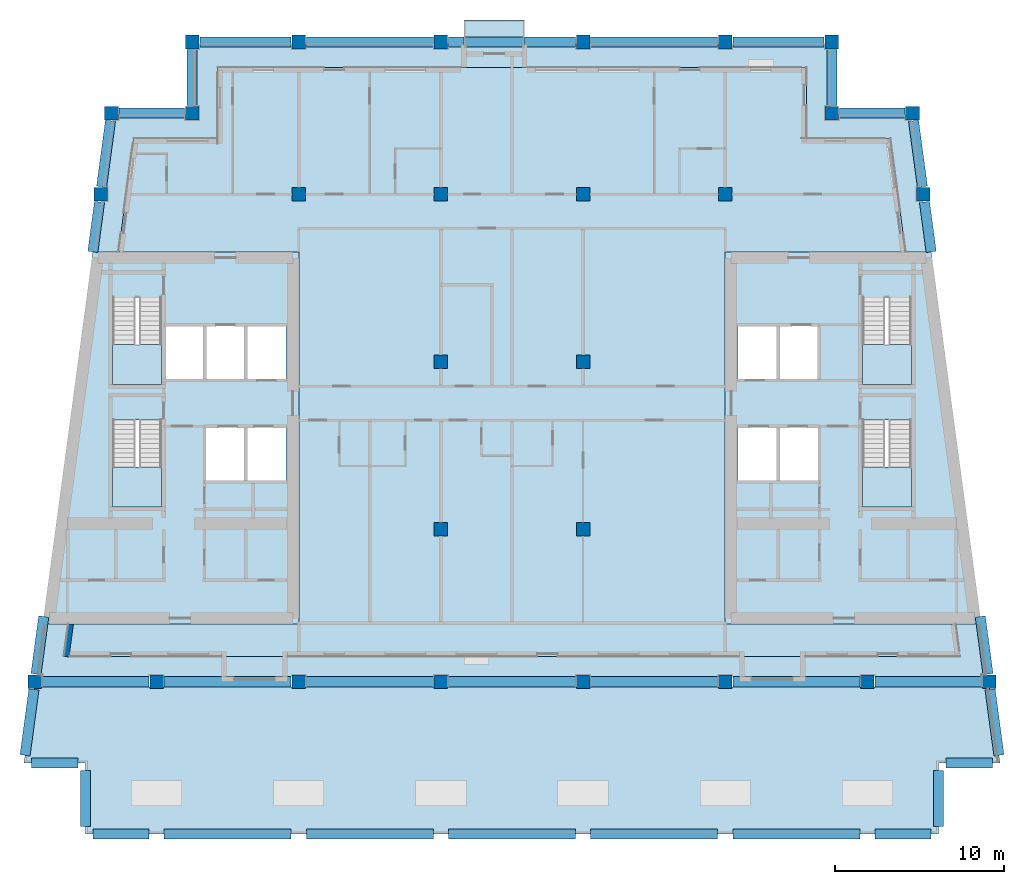
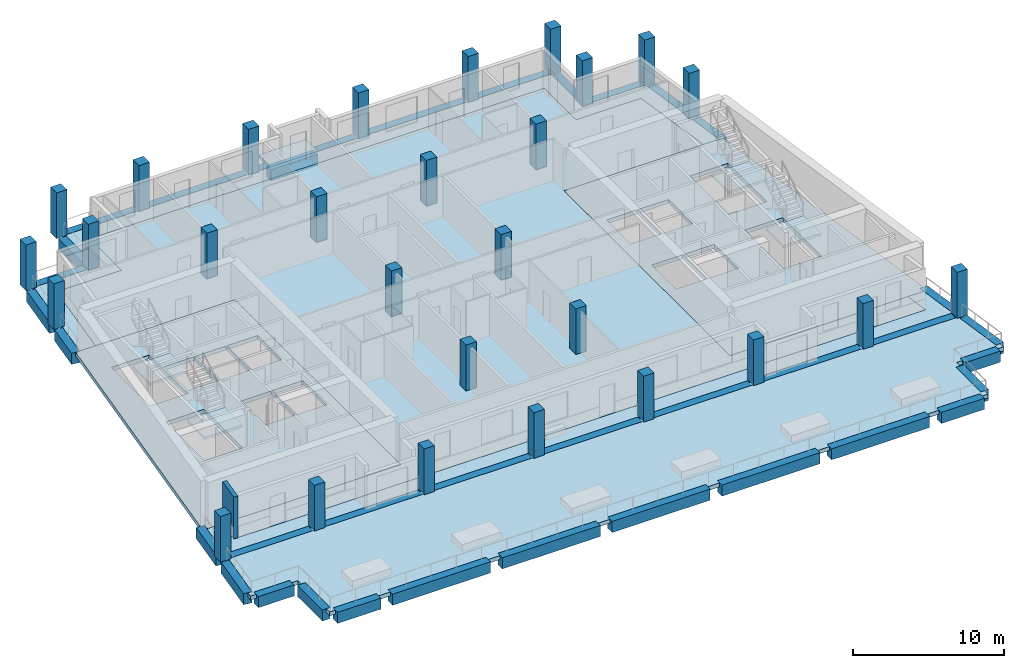
# One storey, part 1 of 12: 37 beams, 28 columns, 11 slabs, 1 wall, 4 elements without a shape of their own.
"""IFC4 building model written with IfcOpenShell, lengths in metres."""

from ifc_helpers import new_model, si_unit, direction, frame, frame_2d, origin, origin_2d, place, context, subcontext, project, spatial, polyline, rectangle, outline, extrude, material, layer, layer_set, material_profile, profile_set, type_object, element, aggregate, save


model = new_model("IFC4")

# Units and contexts
model_context = context("Model", 3, precision=1e-05, world=origin(), true_north=direction((0.0, 1.0)))
body_context = subcontext(model_context, "Body", "Model", "MODEL_VIEW")
ifc_project = project(units=[si_unit("LENGTHUNIT", "METRE"), si_unit("AREAUNIT", "SQUARE_METRE"), si_unit("VOLUMEUNIT", "CUBIC_METRE"), si_unit("PLANEANGLEUNIT", "RADIAN"), si_unit("MASSUNIT", "GRAM", prefix="KILO")], contexts=[model_context])

# Site, building, storey
site_placement = place(None, origin())
site = spatial("IfcSite", under=ifc_project, at=site_placement, CompositionType="ELEMENT")
building_placement = place(site_placement, origin())
building = spatial("IfcBuilding", under=site, at=building_placement, Name="Candeia Pilgrim Tower and Theatre", CompositionType="ELEMENT")
storey_placement = place(building_placement, frame((0.0, 0.0, 259.0)))
storey = spatial("IfcBuildingStorey", under=building, at=storey_placement, Name="L62", CompositionType="ELEMENT", Elevation=259.0)

# Columns
ifc_material_1 = material(Name="Concrete C40/50", Category="concrete")
ifc_material_profile_1 = material_profile(ifc_material_1, rectangle(XDim=0.800048828125, YDim=0.800048828125, at=origin_2d()))
ifc_profile_set_1 = profile_set([ifc_material_profile_1], Name="Concrete C40/50")
column_type = type_object("IfcColumnType", Name="RC 800x800 C40/50", PredefinedType="COLUMN", material=ifc_profile_set_1)
for number, where, z_axis, x_axis, name in (
    (1, (94.5, 140.60009765625, 0.0), (0.0, 0.0, 1.0), (1.0, 0.0, 0.0), "Column NNW"),
    (2, (132.300048828125, 140.60009765625, 0.0), (0.0, 0.0, 1.0), (1.0, 0.0, 0.0), "Column NNE"),
    (3, (89.734619140625, 140.60009765625, 0.0), (0.0, 0.0, 1.0), (1.0, 0.0, 0.0), "Column LNW"),
    (4, (137.0654296875, 140.60009765625, 0.0), (0.0, 0.0, 1.0), (1.0, 0.0, 0.0), "Column LNE"),
    (5, (92.39990234375, 107.0, 0.0), (0.0, 0.0, 1.0), (1.0, 0.0, 0.0), "Column B1"),
    (6, (100.800048828125, 107.0, 0.0), (0.0, 0.0, 1.0), (1.0, 0.0, 0.0), "Column B2"),
    (7, (109.199951171875, 107.0, 0.0), (0.0, 0.0, 1.0), (1.0, 0.0, 0.0), "Column B3"),
    (8, (117.60009765625, 107.0, 0.0), (0.0, 0.0, 1.0), (1.0, 0.0, 0.0), "Column B4"),
    (9, (126.0, 107.0, 0.0), (0.0, 0.0, 1.0), (1.0, 0.0, 0.0), "Column B5"),
    (10, (134.39990234375, 107.0, 0.0), (0.0, 0.0, 1.0), (1.0, 0.0, 0.0), "Column B6"),
    (11, (85.21142578125, 107.0, 0.0), (0.0, 0.0, 1.0), (1.0, 0.0, 0.0), "Column BW"),
    (12, (141.58837890625, 107.0, 0.0), (0.0, 0.0, 1.0), (1.0, 0.0, 0.0), "Column BE"),
    (13, (109.199951171875, 116.0, 0.0), (0.0, 0.0, 1.0), (1.0, 0.0, 0.0), "Column C3"),
    (14, (117.60009765625, 116.0, 0.0), (0.0, 0.0, 1.0), (1.0, 0.0, 0.0), "Column C4"),
    (15, (109.199951171875, 125.89990234375, 0.0), (0.0, 0.0, 1.0), (1.0, 0.0, 0.0), "Column D3"),
    (16, (117.60009765625, 125.89990234375, 0.0), (0.0, 0.0, 1.0), (1.0, 0.0, 0.0), "Column D4"),
    (17, (100.800048828125, 135.800048828125, 0.0), (0.0, 0.0, 1.0), (1.0, 0.0, 0.0), "Column E2"),
    (18, (109.199951171875, 135.800048828125, 0.0), (0.0, 0.0, 1.0), (1.0, 0.0, 0.0), "Column E3"),
    (19, (117.60009765625, 135.800048828125, 0.0), (0.0, 0.0, 1.0), (1.0, 0.0, 0.0), "Column E4"),
    (20, (126.0, 135.800048828125, 0.0), (0.0, 0.0, 1.0), (1.0, 0.0, 0.0), "Column E5"),
    (21, (89.08837890625, 135.800048828125, 0.0), (0.0, 0.0, 1.0), (1.0, 0.0, 0.0), "Column EW"),
    (22, (137.71142578125, 135.800048828125, 0.0), (0.0, 0.0, 1.0), (1.0, 0.0, 0.0), "Column EE"),
    (23, (100.800048828125, 144.800048828125, 0.0), (0.0, 0.0, 1.0), (1.0, 0.0, 0.0), "Column F2"),
    (24, (109.199951171875, 144.800048828125, 0.0), (0.0, 0.0, 1.0), (1.0, 0.0, 0.0), "Column F3"),
    (25, (117.60009765625, 144.800048828125, 0.0), (0.0, 0.0, 1.0), (1.0, 0.0, 0.0), "Column F4"),
    (26, (126.0, 144.800048828125, 0.0), (0.0, 0.0, 1.0), (1.0, 0.0, 0.0), "Column F5"),
    (27, (94.5, 144.800048828125, 0.0), (0.0, 0.0, 1.0), (1.0, 0.0, 0.0), "Column FW"),
    (28, (132.300048828125, 144.800048828125, 0.0), (0.0, 0.0, 1.0), (1.0, 0.0, 0.0), "Column FE"),
):
    element("IfcColumn", number, at=place(storey_placement, frame(where, z_axis=z_axis, x_axis=x_axis)), inside=storey, type_object=column_type, Name=name, PredefinedType="COLUMN", context=body_context, shape_type="SweptSolid", body=[
        extrude(rectangle(XDim=0.800048828125, YDim=0.800048828125, at=origin_2d()), origin(), (0.0, 0.0, 1.0), 3.699951171875),
    ])

# Beams
ifc_material_profile_2 = material_profile(ifc_material_1, rectangle(XDim=0.60009765625, YDim=0.89990234375, at=origin_2d()))
ifc_profile_set_2 = profile_set([ifc_material_profile_2], Name="Concrete C40/50")
beam_type = type_object("IfcBeamType", Name="RC 600x900 C40/50", PredefinedType="BEAM", material=ifc_profile_set_2)
beam_1_placement = place(storey_placement, frame((90.1845703125, 140.60009765625, -0.449951171875), z_axis=(1.0, 0.0, 0.0), x_axis=(0.0, 1.0, 0.0)))
element("IfcBeam", 29, at=beam_1_placement, inside=storey, type_object=beam_type, Name="Spandrel beam L62-01", PredefinedType="BEAM", context=body_context, shape_type="SweptSolid", body=[
    extrude(rectangle(XDim=0.60009765625, YDim=0.89990234375, at=origin_2d()), origin(), (0.0, 0.0, 1.0), 3.865478515625),
])
beam_2_placement = place(storey_placement, frame((94.5, 141.050048828125, -0.449951171875), z_axis=(0.0, 1.0, 0.0), x_axis=(-1.0, 0.0, 0.0)))
element("IfcBeam", 30, at=beam_2_placement, inside=storey, type_object=beam_type, Name="Spandrel beam L62-02", PredefinedType="BEAM", context=body_context, shape_type="SweptSolid", body=[
    extrude(rectangle(XDim=0.60009765625, YDim=0.89990234375, at=origin_2d()), origin(), (0.0, 0.0, 1.0), 3.300048828125),
])
beam_3_placement = place(storey_placement, frame((94.949951171875, 144.800048828125, -0.449951171875), z_axis=(1.0, 0.0, 0.0), x_axis=(0.0, 1.0, 0.0)))
element("IfcBeam", 31, at=beam_3_placement, inside=storey, type_object=beam_type, Name="Spandrel beam L62-03", PredefinedType="BEAM", context=body_context, shape_type="SweptSolid", body=[
    extrude(rectangle(XDim=0.60009765625, YDim=0.89990234375, at=origin_2d()), origin(), (0.0, 0.0, 1.0), 5.400146484375),
])
beam_4_placement = place(storey_placement, frame((101.25, 144.800048828125, -0.449951171875), z_axis=(1.0, 0.0, 0.0), x_axis=(0.0, 1.0, 0.0)))
element("IfcBeam", 32, at=beam_4_placement, inside=storey, type_object=beam_type, Name="Spandrel beam L62-04", PredefinedType="BEAM", context=body_context, shape_type="SweptSolid", body=[
    extrude(rectangle(XDim=0.60009765625, YDim=0.89990234375, at=origin_2d()), origin(), (0.0, 0.0, 1.0), 7.5),
])
beam_5_placement = place(storey_placement, frame((109.64990234375, 144.800048828125, -0.449951171875), z_axis=(1.0, 0.0, 0.0), x_axis=(0.0, 1.0, 0.0)))
element("IfcBeam", 33, at=beam_5_placement, inside=storey, type_object=beam_type, Name="Spandrel beam L62-05", PredefinedType="BEAM", context=body_context, shape_type="SweptSolid", body=[
    extrude(rectangle(XDim=0.60009765625, YDim=0.89990234375, at=origin_2d()), origin(), (0.0, 0.0, 1.0), 0.900146484375),
])
beam_6_placement = place(storey_placement, frame((110.550048828125, 144.800048828125, -0.699951171875), z_axis=(1.0, 0.0, 0.0), x_axis=(0.0, 1.0, 0.0)))
element("IfcBeam", 34, at=beam_6_placement, inside=storey, type_object=beam_type, Name="Spandrel beam L62-06", PredefinedType="BEAM", context=body_context, shape_type="SweptSolid", body=[
    extrude(rectangle(XDim=0.60009765625, YDim=0.89990234375, at=origin_2d()), origin(), (0.0, 0.0, 1.0), 3.599853515625),
])
beam_7_placement = place(storey_placement, frame((114.14990234375, 144.800048828125, -0.449951171875), z_axis=(1.0, 0.0, 0.0), x_axis=(0.0, 1.0, 0.0)))
element("IfcBeam", 35, at=beam_7_placement, inside=storey, type_object=beam_type, Name="Spandrel beam L62-07", PredefinedType="BEAM", context=body_context, shape_type="SweptSolid", body=[
    extrude(rectangle(XDim=0.60009765625, YDim=0.89990234375, at=origin_2d()), origin(), (0.0, 0.0, 1.0), 3.0),
])
beam_8_placement = place(storey_placement, frame((118.050048828125, 144.800048828125, -0.449951171875), z_axis=(1.0, 0.0, 0.0), x_axis=(0.0, 1.0, 0.0)))
element("IfcBeam", 36, at=beam_8_placement, inside=storey, type_object=beam_type, Name="Spandrel beam L62-08", PredefinedType="BEAM", context=body_context, shape_type="SweptSolid", body=[
    extrude(rectangle(XDim=0.60009765625, YDim=0.89990234375, at=origin_2d()), origin(), (0.0, 0.0, 1.0), 7.5),
])
beam_9_placement = place(storey_placement, frame((126.449951171875, 144.800048828125, -0.449951171875), z_axis=(1.0, 0.0, 0.0), x_axis=(0.0, 1.0, 0.0)))
element("IfcBeam", 37, at=beam_9_placement, inside=storey, type_object=beam_type, Name="Spandrel beam L62-09", PredefinedType="BEAM", context=body_context, shape_type="SweptSolid", body=[
    extrude(rectangle(XDim=0.60009765625, YDim=0.89990234375, at=origin_2d()), origin(), (0.0, 0.0, 1.0), 5.400146484375),
])
beam_10_placement = place(storey_placement, frame((132.300048828125, 144.35009765625, -0.449951171875), z_axis=(0.0, -1.0, 0.0), x_axis=(1.0, 0.0, 0.0)))
element("IfcBeam", 38, at=beam_10_placement, inside=storey, type_object=beam_type, Name="Spandrel beam L62-10", PredefinedType="BEAM", context=body_context, shape_type="SweptSolid", body=[
    extrude(rectangle(XDim=0.60009765625, YDim=0.89990234375, at=origin_2d()), origin(), (0.0, 0.0, 1.0), 3.300048828125),
])
beam_11_placement = place(storey_placement, frame((132.75, 140.60009765625, -0.449951171875), z_axis=(1.0, 0.0, 0.0), x_axis=(0.0, 1.0, 0.0)))
element("IfcBeam", 39, at=beam_11_placement, inside=storey, type_object=beam_type, Name="Spandrel beam L62-11", PredefinedType="BEAM", context=body_context, shape_type="SweptSolid", body=[
    extrude(rectangle(XDim=0.60009765625, YDim=0.89990234375, at=origin_2d()), origin(), (0.0, 0.0, 1.0), 3.865478515625),
])
beam_12_placement = place(storey_placement, frame((137.1259765625, 140.14990234375, -0.449951171875), z_axis=(0.133390918184, -0.991063500965, 0.0), x_axis=(0.991063500965, 0.133390918184, 0.0)))
element("IfcBeam", 40, at=beam_12_placement, inside=storey, type_object=beam_type, Name="Spandrel beam L62-12", PredefinedType="BEAM", context=body_context, shape_type="SweptSolid", body=[
    extrude(rectangle(XDim=0.60009765625, YDim=0.89990234375, at=origin_2d()), origin(), (0.0, 0.0, 1.0), 3.93505859375),
])
beam_13_placement = place(storey_placement, frame((137.772216796875, 135.35009765625, -0.449951171875), z_axis=(0.133356242983, -0.991068167412, 0.0), x_axis=(0.991068167412, 0.133356242983, 0.0)))
element("IfcBeam", 41, at=beam_13_placement, inside=storey, type_object=beam_type, Name="Spandrel beam L62-13", PredefinedType="BEAM", context=body_context, shape_type="SweptSolid", body=[
    extrude(rectangle(XDim=0.60009765625, YDim=0.89990234375, at=origin_2d()), origin(), (0.0, 0.0, 1.0), 2.976806640625),
])
beam_14_placement = place(storey_placement, frame((141.06982421875, 110.853271484375, -0.449951171875), z_axis=(0.133374411439, -0.99106572253, 0.0), x_axis=(0.99106572253, 0.133374411439, 0.0)))
element("IfcBeam", 42, at=beam_14_placement, inside=storey, type_object=beam_type, Name="Spandrel beam L62-14", PredefinedType="BEAM", context=body_context, shape_type="SweptSolid", body=[
    extrude(rectangle(XDim=0.60009765625, YDim=0.89990234375, at=origin_2d()), origin(), (0.0, 0.0, 1.0), 3.43408203125),
])
beam_15_placement = place(storey_placement, frame((141.138427734375, 107.0, -0.449951171875), z_axis=(-1.0, 0.0, 0.0), x_axis=(0.0, -1.0, 0.0)))
element("IfcBeam", 43, at=beam_15_placement, inside=storey, type_object=beam_type, Name="Spandrel beam L62-15", PredefinedType="BEAM", context=body_context, shape_type="SweptSolid", body=[
    extrude(rectangle(XDim=0.60009765625, YDim=0.89990234375, at=origin_2d()), origin(), (0.0, 0.0, 1.0), 6.288330078125),
])
for number, where, z_axis, x_axis, name in (
    (44, (133.949951171875, 107.0, -0.449951171875), (-1.0, 0.0, 0.0), (0.0, -1.0, 0.0), "Spandrel beam L62-16"),
    (45, (125.550048828125, 107.0, -0.449951171875), (-1.0, 0.0, 0.0), (0.0, -1.0, 0.0), "Spandrel beam L62-17"),
    (46, (117.14990234375, 107.0, -0.449951171875), (-1.0, 0.0, 0.0), (0.0, -1.0, 0.0), "Spandrel beam L62-18"),
    (47, (108.75, 107.0, -0.449951171875), (-1.0, 0.0, 0.0), (0.0, -1.0, 0.0), "Spandrel beam L62-19"),
    (48, (100.35009765625, 107.0, -0.449951171875), (-1.0, 0.0, 0.0), (0.0, -1.0, 0.0), "Spandrel beam L62-20"),
):
    element("IfcBeam", number, at=place(storey_placement, frame(where, z_axis=z_axis, x_axis=x_axis)), inside=storey, type_object=beam_type, Name=name, PredefinedType="BEAM", context=body_context, shape_type="SweptSolid", body=[
        extrude(rectangle(XDim=0.60009765625, YDim=0.89990234375, at=origin_2d()), origin(), (0.0, 0.0, 1.0), 7.5),
    ])
beam_16_placement = place(storey_placement, frame((91.949951171875, 107.0, -0.449951171875), z_axis=(-1.0, 0.0, 0.0), x_axis=(0.0, -1.0, 0.0)))
element("IfcBeam", 49, at=beam_16_placement, inside=storey, type_object=beam_type, Name="Spandrel beam L62-21", PredefinedType="BEAM", context=body_context, shape_type="SweptSolid", body=[
    extrude(rectangle(XDim=0.60009765625, YDim=0.89990234375, at=origin_2d()), origin(), (0.0, 0.0, 1.0), 6.288330078125),
])
beam_17_placement = place(storey_placement, frame((85.272216796875, 107.449951171875, -0.449951171875), z_axis=(0.133374411439, 0.99106572253, 0.0), x_axis=(-0.99106572253, 0.133374411439, 0.0)))
element("IfcBeam", 50, at=beam_17_placement, inside=storey, type_object=beam_type, Name="Spandrel beam L62-22", PredefinedType="BEAM", context=body_context, shape_type="SweptSolid", body=[
    extrude(rectangle(XDim=0.60009765625, YDim=0.89990234375, at=origin_2d()), origin(), (0.0, 0.0, 1.0), 3.43408203125),
])
beam_18_placement = place(storey_placement, frame((88.630859375, 132.39990234375, -0.449951171875), z_axis=(0.133356242983, 0.991068167412, 0.0), x_axis=(-0.991068167412, 0.133356242983, 0.0)))
element("IfcBeam", 51, at=beam_18_placement, inside=storey, type_object=beam_type, Name="Spandrel beam L62-23", PredefinedType="BEAM", context=body_context, shape_type="SweptSolid", body=[
    extrude(rectangle(XDim=0.60009765625, YDim=0.89990234375, at=origin_2d()), origin(), (0.0, 0.0, 1.0), 2.976806640625),
])
beam_19_placement = place(storey_placement, frame((89.14892578125, 136.25, -0.449951171875), z_axis=(0.133451855788, 0.99105529724, 0.0), x_axis=(-0.99105529724, 0.133451855788, 0.0)))
element("IfcBeam", 52, at=beam_19_placement, inside=storey, type_object=beam_type, Name="Spandrel beam L62-24", PredefinedType="BEAM", context=body_context, shape_type="SweptSolid", body=[
    extrude(rectangle(XDim=0.60009765625, YDim=0.89990234375, at=origin_2d()), origin(), (0.0, 0.0, 1.0), 3.93505859375),
])
beam_20_placement = place(storey_placement, frame((141.78466796875, 102.199951171875, -0.449951171875), z_axis=(-1.0, 0.0, 0.0), x_axis=(0.0, -1.0, 0.0)))
element("IfcBeam", 53, at=beam_20_placement, inside=storey, type_object=beam_type, Name="Spandrel beam L62-25", PredefinedType="BEAM", context=body_context, shape_type="SweptSolid", body=[
    extrude(rectangle(XDim=0.60009765625, YDim=0.89990234375, at=origin_2d()), origin(), (0.0, 0.0, 1.0), 2.734619140625),
])
beam_21_placement = place(storey_placement, frame((138.60009765625, 101.75, -0.449951171875), z_axis=(0.0, -1.0, 0.0), x_axis=(1.0, 0.0, 0.0)))
element("IfcBeam", 54, at=beam_21_placement, inside=storey, type_object=beam_type, Name="Spandrel beam L62-26", PredefinedType="BEAM", context=body_context, shape_type="SweptSolid", body=[
    extrude(rectangle(XDim=0.60009765625, YDim=0.89990234375, at=origin_2d()), origin(), (0.0, 0.0, 1.0), 3.300048828125),
])
beam_22_placement = place(storey_placement, frame((138.14990234375, 98.0, -0.449951171875), z_axis=(-1.0, 0.0, 0.0), x_axis=(0.0, -1.0, 0.0)))
element("IfcBeam", 55, at=beam_22_placement, inside=storey, type_object=beam_type, Name="Spandrel beam L62-27", PredefinedType="BEAM", context=body_context, shape_type="SweptSolid", body=[
    extrude(rectangle(XDim=0.60009765625, YDim=0.89990234375, at=origin_2d()), origin(), (0.0, 0.0, 1.0), 3.2998046875),
])
for number, where, z_axis, x_axis, name in (
    (56, (133.949951171875, 98.0, -0.449951171875), (-1.0, 0.0, 0.0), (0.0, -1.0, 0.0), "Spandrel beam L62-28"),
    (57, (125.550048828125, 98.0, -0.449951171875), (-1.0, 0.0, 0.0), (0.0, -1.0, 0.0), "Spandrel beam L62-29"),
    (58, (117.14990234375, 98.0, -0.449951171875), (-1.0, 0.0, 0.0), (0.0, -1.0, 0.0), "Spandrel beam L62-30"),
    (59, (108.75, 98.0, -0.449951171875), (-1.0, 0.0, 0.0), (0.0, -1.0, 0.0), "Spandrel beam L62-31"),
    (60, (100.35009765625, 98.0, -0.449951171875), (-1.0, 0.0, 0.0), (0.0, -1.0, 0.0), "Spandrel beam L62-32"),
):
    element("IfcBeam", number, at=place(storey_placement, frame(where, z_axis=z_axis, x_axis=x_axis)), inside=storey, type_object=beam_type, Name=name, PredefinedType="BEAM", context=body_context, shape_type="SweptSolid", body=[
        extrude(rectangle(XDim=0.60009765625, YDim=0.89990234375, at=origin_2d()), origin(), (0.0, 0.0, 1.0), 7.5),
    ])
for number, where, z_axis, x_axis, name in (
    (61, (91.949951171875, 98.0, -0.449951171875), (-1.0, 0.0, 0.0), (0.0, -1.0, 0.0), "Spandrel beam L62-33"),
    (62, (88.199951171875, 98.449951171875, -0.449951171875), (0.0, 1.0, 0.0), (-1.0, 0.0, 0.0), "Spandrel beam L62-34"),
):
    element("IfcBeam", number, at=place(storey_placement, frame(where, z_axis=z_axis, x_axis=x_axis)), inside=storey, type_object=beam_type, Name=name, PredefinedType="BEAM", context=body_context, shape_type="SweptSolid", body=[
        extrude(rectangle(XDim=0.60009765625, YDim=0.89990234375, at=origin_2d()), origin(), (0.0, 0.0, 1.0), 3.300048828125),
    ])
beam_23_placement = place(storey_placement, frame((87.75, 102.199951171875, -0.449951171875), z_axis=(-1.0, 0.0, 0.0), x_axis=(0.0, -1.0, 0.0)))
element("IfcBeam", 63, at=beam_23_placement, inside=storey, type_object=beam_type, Name="Spandrel beam L62-35", PredefinedType="BEAM", context=body_context, shape_type="SweptSolid", body=[
    extrude(rectangle(XDim=0.60009765625, YDim=0.89990234375, at=origin_2d()), origin(), (0.0, 0.0, 1.0), 2.734619140625),
])
for number, where, z_axis, x_axis, name in (
    (64, (84.6259765625, 102.64990234375, -0.449951171875), (0.133382716764, 0.991064604791, 0.0), (-0.991064604791, 0.133382716764, 0.0), "Spandrel beam L62-36"),
    (65, (141.64892578125, 106.550048828125, -0.449951171875), (0.133443650757, -0.991056402064, 0.0), (0.991056402064, 0.133443650757, 0.0), "Spandrel beam L62-37"),
):
    element("IfcBeam", number, at=place(storey_placement, frame(where, z_axis=z_axis, x_axis=x_axis)), inside=storey, type_object=beam_type, Name=name, PredefinedType="BEAM", context=body_context, shape_type="SweptSolid", body=[
        extrude(rectangle(XDim=0.60009765625, YDim=0.89990234375, at=origin_2d()), origin(), (0.0, 0.0, 1.0), 3.935302734375),
    ])

# Slabs
ifc_layer_1 = layer(ifc_material_1, 0.25)
ifc_layer_set_1 = layer_set([ifc_layer_1], Name="BK1 balcony slab 250")
slab_type_1 = type_object("IfcSlabType", Name="BK1 balcony slab 250", PredefinedType="USERDEFINED", material=ifc_layer_set_1)
slab_1_placement = place(storey_placement, frame((0.0, 0.0, -0.25)))
element("IfcSlab", 66, at=slab_1_placement, inside=storey, type_object=slab_type_1, Name="Balcony L62", ObjectType="BALCONY", PredefinedType="USERDEFINED", context=body_context, shape_type="SweptSolid", body=[
    extrude(outline(polyline([(110.550048828125, 144.5), (114.14990234375, 144.5), (114.14990234375, 146.10009765625), (110.550048828125, 146.10009765625), (110.550048828125, 144.5)])), origin(), (0.0, 0.0, 1.0), 0.25),
])
ifc_material_2 = material(Name="Concrete C60/75", Category="concrete")
ifc_layer_2 = layer(ifc_material_2, 0.320068359375)
ifc_layer_set_2 = layer_set([ifc_layer_2], Name="FS-CORE 320 core floor")
slab_type_2 = type_object("IfcSlabType", Name="FS-CORE 320 core floor", PredefinedType="FLOOR", material=ifc_layer_set_2)
slab_2_placement = place(storey_placement, frame((0.0, 0.0, -0.320068359375)))
element("IfcSlab", 67, at=slab_2_placement, inside=storey, type_object=slab_type_2, Name="Core floor W L62", PredefinedType="FLOOR", context=body_context, shape_type="SweptSolid", body=[
    extrude(outline(polyline([(100.800048828125, 132.39990234375), (100.800048828125, 110.39990234375), (85.669189453125, 110.39990234375), (88.630859375, 132.39990234375), (100.800048828125, 132.39990234375)]), holes=[polyline([(97.71337890625, 122.050048828125), (97.71337890625, 118.85009765625), (100.050048828125, 118.85009765625), (100.050048828125, 122.050048828125), (97.71337890625, 122.050048828125)]), polyline([(97.7255859375, 128.050048828125), (97.7255859375, 124.85009765625), (100.050048828125, 124.85009765625), (100.050048828125, 128.050048828125), (97.7255859375, 128.050048828125)]), polyline([(95.30126953125, 128.050048828125), (95.30126953125, 124.85009765625), (97.625732421875, 124.85009765625), (97.625732421875, 128.050048828125), (95.30126953125, 128.050048828125)]), polyline([(95.277099609375, 122.050048828125), (95.277099609375, 118.85009765625), (97.613525390625, 118.85009765625), (97.613525390625, 122.050048828125), (95.277099609375, 122.050048828125)]), polyline([(92.876953125, 128.050048828125), (92.876953125, 124.85009765625), (95.201416015625, 124.85009765625), (95.201416015625, 128.050048828125), (92.876953125, 128.050048828125)]), polyline([(89.802001953125, 117.324951171875), (92.701904296875, 117.324951171875), (92.701904296875, 122.455078125), (89.802001953125, 122.455078125), (89.802001953125, 117.324951171875)]), polyline([(89.802001953125, 129.705078125), (89.802001953125, 124.574951171875), (92.701904296875, 124.574951171875), (92.701904296875, 129.705078125), (89.802001953125, 129.705078125)])]), origin(), (0.0, 0.0, 1.0), 0.320068359375),
])
slab_3_placement = place(storey_placement, frame((0.0, 0.0, -0.320068359375)))
element("IfcSlab", 68, at=slab_3_placement, inside=storey, type_object=slab_type_2, Name="Core floor E L62", PredefinedType="FLOOR", context=body_context, shape_type="SweptSolid", body=[
    extrude(outline(polyline([(138.169189453125, 132.39990234375), (141.130859375, 110.39990234375), (126.0, 110.39990234375), (126.0, 132.39990234375), (138.169189453125, 132.39990234375)]), holes=[polyline([(134.097900390625, 117.324951171875), (136.998046875, 117.324951171875), (136.998046875, 122.455078125), (134.097900390625, 122.455078125), (134.097900390625, 117.324951171875)]), polyline([(134.097900390625, 129.705078125), (134.097900390625, 124.574951171875), (136.998046875, 124.574951171875), (136.998046875, 129.705078125), (134.097900390625, 129.705078125)]), polyline([(131.52294921875, 122.050048828125), (129.1865234375, 122.050048828125), (129.1865234375, 118.85009765625), (131.52294921875, 118.85009765625), (131.52294921875, 122.050048828125)]), polyline([(131.498779296875, 128.050048828125), (129.17431640625, 128.050048828125), (129.17431640625, 124.85009765625), (131.498779296875, 124.85009765625), (131.498779296875, 128.050048828125)]), polyline([(129.08642578125, 122.050048828125), (126.75, 122.050048828125), (126.75, 118.85009765625), (129.08642578125, 118.85009765625), (129.08642578125, 122.050048828125)]), polyline([(126.75, 128.050048828125), (126.75, 124.85009765625), (129.07421875, 124.85009765625), (129.07421875, 128.050048828125), (126.75, 128.050048828125)])]), origin(), (0.0, 0.0, 1.0), 0.320068359375),
])
ifc_material_3 = material(Name="Concrete C50/60", Category="concrete")
ifc_layer_3 = layer(ifc_material_3, 0.320068359375)
ifc_layer_set_3 = layer_set([ifc_layer_3], Name="Floor slab 320 C50/60")
slab_type_3 = type_object("IfcSlabType", Name="Floor slab 320 C50/60", PredefinedType="FLOOR", material=ifc_layer_set_3)
slab_4_placement = place(storey_placement, frame((0.0, 0.0, -0.320068359375)))
element("IfcSlab", 69, at=slab_4_placement, inside=storey, type_object=slab_type_3, Name="Floor slab L62", PredefinedType="FLOOR", context=body_context, shape_type="SweptSolid", body=[
    extrude(outline(polyline([(96.0, 139.10009765625), (96.0, 143.300048828125), (130.800048828125, 143.300048828125), (130.800048828125, 139.10009765625), (135.753662109375, 139.10009765625), (136.65576171875, 132.39990234375), (126.0, 132.39990234375), (126.0, 110.39990234375), (139.6171875, 110.39990234375), (139.873046875, 108.5), (86.927001953125, 108.5), (87.182861328125, 110.39990234375), (100.800048828125, 110.39990234375), (100.800048828125, 132.39990234375), (90.144287109375, 132.39990234375), (91.046142578125, 139.10009765625), (96.0, 139.10009765625)])), origin(), (0.0, 0.0, 1.0), 0.320068359375),
])
ifc_layer_4 = layer(ifc_material_1, 0.25)
ifc_layer_set_4 = layer_set([ifc_layer_4], Name="Loggia slab 250 C40/50")
slab_type_4 = type_object("IfcSlabType", Name="Loggia slab 250 C40/50", PredefinedType="FLOOR", material=ifc_layer_set_4)
slab_5_placement = place(storey_placement, frame((0.0, 0.0, -0.25)))
element("IfcSlab", 70, at=slab_5_placement, inside=storey, type_object=slab_type_4, Name="Loggia slab L62 1", PredefinedType="FLOOR", context=body_context, shape_type="SweptSolid", body=[
    extrude(outline(polyline([(86.927001953125, 108.5), (139.873046875, 108.5), (139.6171875, 110.39990234375), (140.828125, 110.39990234375), (141.245361328125, 107.300048828125), (85.5546875, 107.300048828125), (85.971923828125, 110.39990234375), (87.182861328125, 110.39990234375), (86.927001953125, 108.5)])), origin(), (0.0, 0.0, 1.0), 0.25),
])
slab_6_placement = place(storey_placement, frame((0.0, 0.0, -0.25)))
element("IfcSlab", 71, at=slab_6_placement, inside=storey, type_object=slab_type_4, Name="Loggia slab L62 2", PredefinedType="FLOOR", context=body_context, shape_type="SweptSolid", body=[
    extrude(outline(polyline([(136.65576171875, 132.39990234375), (135.753662109375, 139.10009765625), (130.800048828125, 139.10009765625), (130.800048828125, 143.300048828125), (96.0, 143.300048828125), (96.0, 139.10009765625), (91.046142578125, 139.10009765625), (90.144287109375, 132.39990234375), (88.93359375, 132.39990234375), (89.996826171875, 140.300048828125), (94.800048828125, 140.300048828125), (94.800048828125, 144.5), (132.0, 144.5), (132.0, 140.300048828125), (136.802978515625, 140.300048828125), (137.866455078125, 132.39990234375), (136.65576171875, 132.39990234375)])), origin(), (0.0, 0.0, 1.0), 0.25),
])

# Stair, slab
stair_type = type_object("IfcStairType", Name="ST-TWR dog-leg escape stair", PredefinedType="HALF_TURN_STAIR", material=ifc_material_1)
stair_1_placement = place(storey_placement, origin())
stair_1 = element("IfcStair", 72, at=stair_1_placement, inside=storey, type_object=stair_type, Name="L62 Escape stair ST1", PredefinedType="HALF_TURN_STAIR")
ifc_layer_5 = layer(ifc_material_1, 0.199951171875)
ifc_layer_set_5 = layer_set([ifc_layer_5], Name="SL-LANDING stair landing")
slab_type_5 = type_object("IfcSlabType", Name="SL-LANDING stair landing", PredefinedType="LANDING", material=ifc_layer_set_5)
slab_7_placement = place(storey_placement, frame((0.0, 0.0, 1.64990234375)))
slab_7 = element("IfcSlab", 73, at=slab_7_placement, type_object=slab_type_5, Name="ST1 landing 1", PredefinedType="LANDING", context=body_context, shape_type="SweptSolid", body=[
    extrude(outline(polyline([(89.802001953125, 119.675048828125), (89.802001953125, 117.324951171875), (92.701904296875, 117.324951171875), (92.701904296875, 119.675048828125), (89.802001953125, 119.675048828125)])), origin(), (0.0, 0.0, 1.0), 0.2001953125),
])
aggregate(stair_1, [slab_7])

stair_2_placement = place(storey_placement, origin())
stair_2 = element("IfcStair", 74, at=stair_2_placement, inside=storey, type_object=stair_type, Name="L62 Escape stair ST2", PredefinedType="HALF_TURN_STAIR")
slab_8_placement = place(storey_placement, frame((0.0, 0.0, 1.64990234375)))
slab_8 = element("IfcSlab", 75, at=slab_8_placement, type_object=slab_type_5, Name="ST2 landing 1", PredefinedType="LANDING", context=body_context, shape_type="SweptSolid", body=[
    extrude(outline(polyline([(89.802001953125, 126.925048828125), (89.802001953125, 124.574951171875), (92.701904296875, 124.574951171875), (92.701904296875, 126.925048828125), (89.802001953125, 126.925048828125)])), origin(), (0.0, 0.0, 1.0), 0.2001953125),
])
aggregate(stair_2, [slab_8])

stair_3_placement = place(storey_placement, origin())
stair_3 = element("IfcStair", 76, at=stair_3_placement, inside=storey, type_object=stair_type, Name="L62 Escape stair ST3", PredefinedType="HALF_TURN_STAIR")
slab_9_placement = place(storey_placement, frame((0.0, 0.0, 1.64990234375)))
slab_9 = element("IfcSlab", 77, at=slab_9_placement, type_object=slab_type_5, Name="ST3 landing 1", PredefinedType="LANDING", context=body_context, shape_type="SweptSolid", body=[
    extrude(outline(polyline([(134.097900390625, 119.675048828125), (134.097900390625, 117.324951171875), (136.998046875, 117.324951171875), (136.998046875, 119.675048828125), (134.097900390625, 119.675048828125)])), origin(), (0.0, 0.0, 1.0), 0.2001953125),
])
aggregate(stair_3, [slab_9])

stair_4_placement = place(storey_placement, origin())
stair_4 = element("IfcStair", 78, at=stair_4_placement, inside=storey, type_object=stair_type, Name="L62 Escape stair ST4", PredefinedType="HALF_TURN_STAIR")
slab_10_placement = place(storey_placement, frame((0.0, 0.0, 1.64990234375)))
slab_10 = element("IfcSlab", 79, at=slab_10_placement, type_object=slab_type_5, Name="ST4 landing 1", PredefinedType="LANDING", context=body_context, shape_type="SweptSolid", body=[
    extrude(outline(polyline([(134.097900390625, 126.925048828125), (134.097900390625, 124.574951171875), (136.998046875, 124.574951171875), (136.998046875, 126.925048828125), (134.097900390625, 126.925048828125)])), origin(), (0.0, 0.0, 1.0), 0.2001953125),
])
aggregate(stair_4, [slab_10])

# Slab
ifc_layer_6 = layer(ifc_material_1, 0.320068359375)
ifc_layer_set_6 = layer_set([ifc_layer_6], Name="Terrace slab 320 C40/50")
slab_type_6 = type_object("IfcSlabType", Name="Terrace slab 320 C40/50", PredefinedType="FLOOR", material=ifc_layer_set_6)
slab_11_placement = place(storey_placement, frame((0.0, 0.0, -0.320068359375)))
element("IfcSlab", 80, at=slab_11_placement, inside=storey, type_object=slab_type_6, Name="Terrace slab T-L62-1", PredefinedType="FLOOR", context=body_context, shape_type="SweptSolid", body=[
    extrude(outline(polyline([(138.60009765625, 102.199951171875), (138.60009765625, 98.0), (88.199951171875, 98.0), (88.199951171875, 102.199951171875), (84.5654296875, 102.199951171875), (85.171142578125, 106.699951171875), (141.62890625, 106.699951171875), (142.234619140625, 102.199951171875), (138.60009765625, 102.199951171875)])), origin(), (0.0, 0.0, 1.0), 0.320068359375),
])

# Wall
ifc_material_4 = material(Name="Ceramic block masonry", Category="masonry")
ifc_layer_7 = layer(ifc_material_4, 0.300048828125)
ifc_layer_set_7 = layer_set([ifc_layer_7], Name="EW1 glazing-line wall 300")
wall_type = type_object("IfcWallType", Name="EW1 glazing-line wall 300", PredefinedType="SOLIDWALL", material=ifc_layer_set_7)
wall_placement = place(storey_placement, frame((87.334228515625, 110.39990234375, 0.0), z_axis=(0.0, 0.0, 1.0), x_axis=(-0.13345962011, -0.991054251694, 0.0)))
element("IfcWall", 81, at=wall_placement, inside=storey, type_object=wall_type, Name="External wall L62-0.1", PredefinedType="SOLIDWALL", context=body_context, shape_type="SweptSolid", body=[
    extrude(rectangle(XDim=1.937255859375, YDim=0.300048828125, at=frame_2d((0.96875, 0.0))), origin(), (0.0, 0.0, 1.0), 3.3798828125),
])

save(model, "model.ifc")
